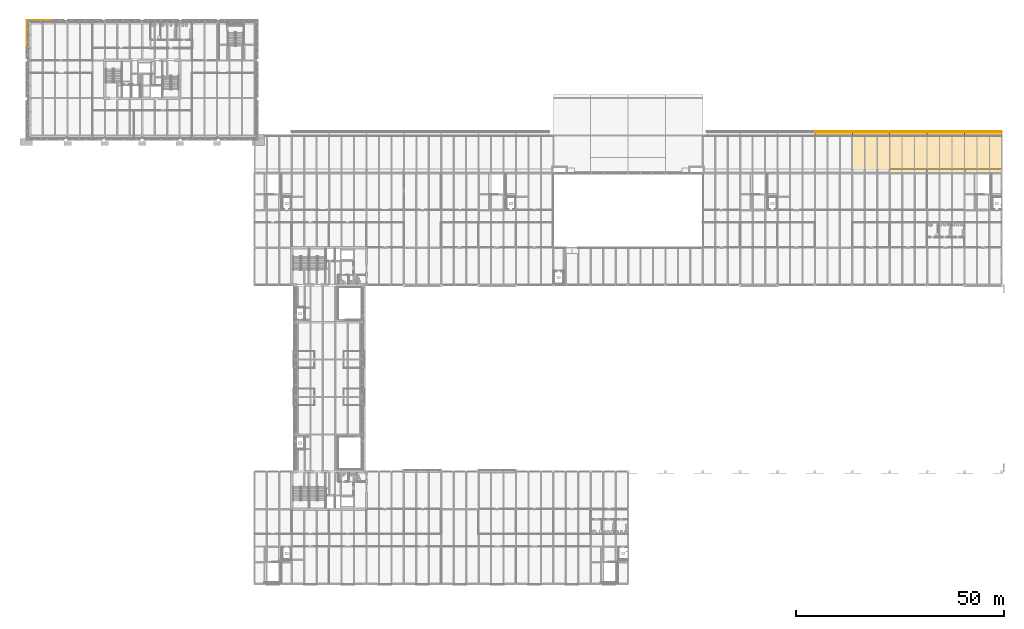
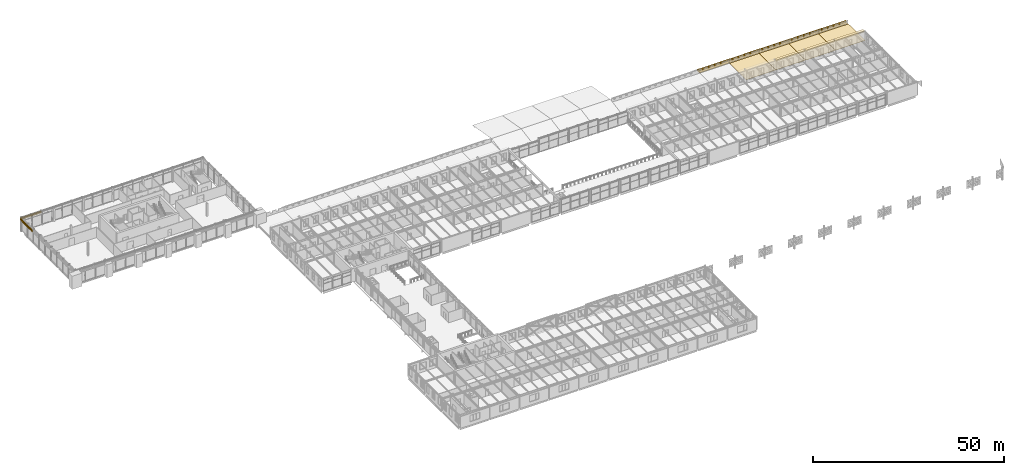
# One storey, part 111 of 123: 12 coverings, 9 shading devices.
"""IFC4 building model written with IfcOpenShell, lengths in metres."""

from ifc_helpers import new_model, si_unit, direction, frame, origin, origin_2d, place, context, subcontext, project, spatial, polyline, rectangle, outline, extrude, material, layer, layer_set, type_object, element, save


model = new_model("IFC4")

# Units and contexts
model_context = context("Model", 3, precision=1e-05, world=origin(), true_north=direction((0.0, 1.0)))
body_context = subcontext(model_context, "Body", "Model", "MODEL_VIEW")
ifc_project = project(units=[si_unit("LENGTHUNIT", "METRE"), si_unit("AREAUNIT", "SQUARE_METRE"), si_unit("VOLUMEUNIT", "CUBIC_METRE"), si_unit("PLANEANGLEUNIT", "RADIAN"), si_unit("MASSUNIT", "GRAM", prefix="KILO")], contexts=[model_context])

# Site, building, storey
site_placement = place(None, origin())
site = spatial("IfcSite", under=ifc_project, at=site_placement, CompositionType="ELEMENT")
building_placement = place(site_placement, origin())
building = spatial("IfcBuilding", under=site, at=building_placement, Name="Baradari Gate Terminus", CompositionType="ELEMENT")
storey_placement = place(building_placement, frame((0.0, 0.0, 7.5)))
storey = spatial("IfcBuildingStorey", under=building, at=storey_placement, Name="L01", CompositionType="ELEMENT", Elevation=7.5)

# Coverings
ifc_material_1 = material(Name="Reconstituted stone cladding", Category="masonry")
ifc_layer_1 = layer(ifc_material_1, 0.199951171875)
ifc_layer_set_1 = layer_set([ifc_layer_1], Name="Reconstituted stone cladding")
covering_type_1 = type_object("IfcCoveringType", Name="Canopy chhajja fascia CF-1 450", PredefinedType="CLADDING", material=ifc_layer_set_1)
for number, where, z_axis, x_axis, name in (
    (1, (202.5, 117.89990234375, 0.89990234375), (0.0, 0.0, 1.0), (1.0, 0.0, 0.0), "Canopy chhajja fascia CF-1 C16"),
    (2, (211.5, 117.89990234375, 0.89990234375), (0.0, 0.0, 1.0), (1.0, 0.0, 0.0), "Canopy chhajja fascia CF-1 C17"),
    (3, (220.5, 117.89990234375, 0.89990234375), (0.0, 0.0, 1.0), (1.0, 0.0, 0.0), "Canopy chhajja fascia CF-1 C18"),
    (4, (229.5, 117.89990234375, 0.89990234375), (0.0, 0.0, 1.0), (1.0, 0.0, 0.0), "Canopy chhajja fascia CF-1 C19"),
    (5, (238.5, 117.89990234375, 0.89990234375), (0.0, 0.0, 1.0), (1.0, 0.0, 0.0), "Canopy chhajja fascia CF-1 C20"),
):
    element("IfcCovering", number, at=place(storey_placement, frame(where, z_axis=z_axis, x_axis=x_axis)), inside=storey, type_object=covering_type_1, Name=name, PredefinedType="CLADDING", context=body_context, shape_type="SweptSolid", body=[
        extrude(rectangle(XDim=9.0, YDim=0.199951171875, at=origin_2d()), origin(), (0.0, 0.0, 1.0), 0.449951171875),
    ])

# Shading devices
ifc_material_2 = material(Name="Concrete C40/50 precast", Category="concrete")
ifc_layer_2 = layer(ifc_material_2, 0.14990234375)
ifc_layer_set_2 = layer_set([ifc_layer_2], Name="Concrete C40/50 precast")
shading_device_type_1 = type_object("IfcShadingDeviceType", Name="Chhajja eave CJ-2 1000x150", PredefinedType="AWNING", material=ifc_layer_set_2)
for number, where, z_axis, x_axis, name in (
    (6, (202.5, 117.5, 0.75), (0.0, 0.0, 1.0), (1.0, 0.0, 0.0), "Chhajja eave CJ-1 C bay 16"),
    (7, (211.5, 117.5, 0.75), (0.0, 0.0, 1.0), (1.0, 0.0, 0.0), "Chhajja eave CJ-1 C bay 17"),
    (8, (220.5, 117.5, 0.75), (0.0, 0.0, 1.0), (1.0, 0.0, 0.0), "Chhajja eave CJ-1 C bay 18"),
    (9, (229.5, 117.5, 0.75), (0.0, 0.0, 1.0), (1.0, 0.0, 0.0), "Chhajja eave CJ-1 C bay 19"),
    (10, (238.5, 117.5, 0.75), (0.0, 0.0, 1.0), (1.0, 0.0, 0.0), "Chhajja eave CJ-1 C bay 20"),
):
    element("IfcShadingDevice", number, at=place(storey_placement, frame(where, z_axis=z_axis, x_axis=x_axis)), inside=storey, type_object=shading_device_type_1, Name=name, PredefinedType="AWNING", context=body_context, shape_type="SweptSolid", body=[
        extrude(rectangle(XDim=9.0, YDim=1.0, at=origin_2d()), origin(), (0.0, 0.0, 1.0), 0.14990234375),
    ])
ifc_material_3 = material(Name="Concrete C50/60 precast", Category="concrete")
ifc_layer_3 = layer(ifc_material_3, 0.10009765625)
ifc_layer_set_3 = layer_set([ifc_layer_3], Name="Concrete C50/60 precast")
shading_device_type_2 = type_object("IfcShadingDeviceType", Name="Jali screen panel JS-1 100", PredefinedType="SHUTTER", material=ifc_layer_set_3)
shading_device_1_placement = place(storey_placement, frame((8.239990234375, 144.7451171875, 3.4326171875), z_axis=(0.0, 0.0, 1.0), x_axis=(1.0, 0.0, 0.0)))
element("IfcShadingDevice", 11, at=shading_device_1_placement, inside=storey, type_object=shading_device_type_2, Name="Jali screen panel JS-1 L01/TN bay 1", PredefinedType="SHUTTER", context=body_context, shape_type="SweptSolid", body=[
    extrude(outline(polyline([(0.0, 0.0), (3.300048828125, 0.0), (3.300048828125, 0.599853515625), (0.0, 0.599853515625), (0.0, 0.0)]), holes=[polyline([(0.336181640625, 0.2998046875), (0.271240234375, 0.187255859375), (0.141357421875, 0.187255859375), (0.076171875, 0.2998046875), (0.141357421875, 0.412353515625), (0.271240234375, 0.412353515625), (0.336181640625, 0.2998046875)]), polyline([(0.748779296875, 0.2998046875), (0.683837890625, 0.187255859375), (0.5537109375, 0.187255859375), (0.48876953125, 0.2998046875), (0.5537109375, 0.412353515625), (0.683837890625, 0.412353515625), (0.748779296875, 0.2998046875)]), polyline([(1.1611328125, 0.2998046875), (1.09619140625, 0.187255859375), (0.96630859375, 0.187255859375), (0.9013671875, 0.2998046875), (0.96630859375, 0.412353515625), (1.09619140625, 0.412353515625), (1.1611328125, 0.2998046875)]), polyline([(1.57373046875, 0.2998046875), (1.5087890625, 0.187255859375), (1.378662109375, 0.187255859375), (1.313720703125, 0.2998046875), (1.378662109375, 0.412353515625), (1.5087890625, 0.412353515625), (1.57373046875, 0.2998046875)]), polyline([(1.986328125, 0.2998046875), (1.921142578125, 0.187255859375), (1.791259765625, 0.187255859375), (1.726318359375, 0.2998046875), (1.791259765625, 0.412353515625), (1.921142578125, 0.412353515625), (1.986328125, 0.2998046875)]), polyline([(2.398681640625, 0.2998046875), (2.333740234375, 0.187255859375), (2.203857421875, 0.187255859375), (2.138671875, 0.2998046875), (2.203857421875, 0.412353515625), (2.333740234375, 0.412353515625), (2.398681640625, 0.2998046875)]), polyline([(2.811279296875, 0.2998046875), (2.746337890625, 0.187255859375), (2.6162109375, 0.187255859375), (2.55126953125, 0.2998046875), (2.6162109375, 0.412353515625), (2.746337890625, 0.412353515625), (2.811279296875, 0.2998046875)]), polyline([(3.2236328125, 0.2998046875), (3.15869140625, 0.187255859375), (3.02880859375, 0.187255859375), (2.9638671875, 0.2998046875), (3.02880859375, 0.412353515625), (3.15869140625, 0.412353515625), (3.2236328125, 0.2998046875)])]), frame((0.0, 0.050048828125, 0.0), z_axis=(0.0, -1.0, 0.0), x_axis=(1.0, 0.0, 0.0)), (0.0, 0.0, 1.0), 0.10009765625),
])
shading_device_2_placement = place(storey_placement, frame((11.580078125, 144.7451171875, 3.4326171875), z_axis=(0.0, 0.0, 1.0), x_axis=(1.0, 0.0, 0.0)))
element("IfcShadingDevice", 12, at=shading_device_2_placement, inside=storey, type_object=shading_device_type_2, Name="Jali screen panel JS-1 L01/TN bay 2", PredefinedType="SHUTTER", context=body_context, shape_type="SweptSolid", body=[
    extrude(outline(polyline([(0.0, 0.0), (3.014892578125, 0.0), (3.014892578125, 0.599853515625), (0.0, 0.599853515625), (0.0, 0.0)]), holes=[polyline([(0.345458984375, 0.2998046875), (0.2802734375, 0.187255859375), (0.150390625, 0.187255859375), (0.08544921875, 0.2998046875), (0.150390625, 0.412353515625), (0.2802734375, 0.412353515625), (0.345458984375, 0.2998046875)]), polyline([(0.776123046875, 0.2998046875), (0.711181640625, 0.187255859375), (0.5810546875, 0.187255859375), (0.51611328125, 0.2998046875), (0.5810546875, 0.412353515625), (0.711181640625, 0.412353515625), (0.776123046875, 0.2998046875)]), polyline([(1.206787109375, 0.2998046875), (1.141845703125, 0.187255859375), (1.01171875, 0.187255859375), (0.94677734375, 0.2998046875), (1.01171875, 0.412353515625), (1.141845703125, 0.412353515625), (1.206787109375, 0.2998046875)]), polyline([(1.637451171875, 0.2998046875), (1.572509765625, 0.187255859375), (1.4423828125, 0.187255859375), (1.37744140625, 0.2998046875), (1.4423828125, 0.412353515625), (1.572509765625, 0.412353515625), (1.637451171875, 0.2998046875)]), polyline([(2.068115234375, 0.2998046875), (2.003173828125, 0.187255859375), (1.873291015625, 0.187255859375), (1.80810546875, 0.2998046875), (1.873291015625, 0.412353515625), (2.003173828125, 0.412353515625), (2.068115234375, 0.2998046875)]), polyline([(2.4990234375, 0.2998046875), (2.433837890625, 0.187255859375), (2.303955078125, 0.187255859375), (2.239013671875, 0.2998046875), (2.303955078125, 0.412353515625), (2.433837890625, 0.412353515625), (2.4990234375, 0.2998046875)]), polyline([(2.9296875, 0.2998046875), (2.86474609375, 0.187255859375), (2.734619140625, 0.187255859375), (2.669677734375, 0.2998046875), (2.734619140625, 0.412353515625), (2.86474609375, 0.412353515625), (2.9296875, 0.2998046875)])]), frame((0.0, 0.050048828125, 0.0), z_axis=(0.0, -1.0, 0.0), x_axis=(1.0, 0.0, 0.0)), (0.0, 0.0, 1.0), 0.10009765625),
])
shading_device_3_placement = place(storey_placement, frame((8.2548828125, 138.114501953125, 3.4326171875), z_axis=(0.0, 0.0, 1.0), x_axis=(0.0, 1.0, 0.0)))
element("IfcShadingDevice", 13, at=shading_device_3_placement, inside=storey, type_object=shading_device_type_2, Name="Jali screen panel JS-1 L01/TW bay 8", PredefinedType="SHUTTER", context=body_context, shape_type="SweptSolid", body=[
    extrude(outline(polyline([(0.0, 0.0), (3.047607421875, 0.0), (3.047607421875, 0.599853515625), (0.0, 0.599853515625), (0.0, 0.0)]), holes=[polyline([(0.34765625, 0.2998046875), (0.28271484375, 0.187255859375), (0.152587890625, 0.187255859375), (0.087646484375, 0.2998046875), (0.152587890625, 0.412353515625), (0.28271484375, 0.412353515625), (0.34765625, 0.2998046875)]), polyline([(0.783203125, 0.2998046875), (0.718017578125, 0.187255859375), (0.588134765625, 0.187255859375), (0.523193359375, 0.2998046875), (0.588134765625, 0.412353515625), (0.718017578125, 0.412353515625), (0.783203125, 0.2998046875)]), polyline([(1.218505859375, 0.2998046875), (1.153564453125, 0.187255859375), (1.0234375, 0.187255859375), (0.95849609375, 0.2998046875), (1.0234375, 0.412353515625), (1.153564453125, 0.412353515625), (1.218505859375, 0.2998046875)]), polyline([(1.65380859375, 0.2998046875), (1.5888671875, 0.187255859375), (1.458984375, 0.187255859375), (1.393798828125, 0.2998046875), (1.458984375, 0.412353515625), (1.5888671875, 0.412353515625), (1.65380859375, 0.2998046875)]), polyline([(2.08935546875, 0.2998046875), (2.024169921875, 0.187255859375), (1.894287109375, 0.187255859375), (1.829345703125, 0.2998046875), (1.894287109375, 0.412353515625), (2.024169921875, 0.412353515625), (2.08935546875, 0.2998046875)]), polyline([(2.524658203125, 0.2998046875), (2.459716796875, 0.187255859375), (2.32958984375, 0.187255859375), (2.2646484375, 0.2998046875), (2.32958984375, 0.412353515625), (2.459716796875, 0.412353515625), (2.524658203125, 0.2998046875)]), polyline([(2.9599609375, 0.2998046875), (2.89501953125, 0.187255859375), (2.76513671875, 0.187255859375), (2.7001953125, 0.2998046875), (2.76513671875, 0.412353515625), (2.89501953125, 0.412353515625), (2.9599609375, 0.2998046875)])]), frame((0.0, 0.050048828125, 0.0), z_axis=(0.0, -1.0, 0.0), x_axis=(1.0, 0.0, 0.0)), (0.0, 0.0, 1.0), 0.10009765625),
])
shading_device_4_placement = place(storey_placement, frame((8.2548828125, 141.2021484375, 3.4326171875), z_axis=(0.0, 0.0, 1.0), x_axis=(0.0, 1.0, 0.0)))
element("IfcShadingDevice", 14, at=shading_device_4_placement, inside=storey, type_object=shading_device_type_2, Name="Jali screen panel JS-1 L01/TW bay 9", PredefinedType="SHUTTER", context=body_context, shape_type="SweptSolid", body=[
    extrude(outline(polyline([(0.0, 0.0), (3.457763671875, 0.0), (3.457763671875, 0.599853515625), (0.0, 0.599853515625), (0.0, 0.0)]), holes=[polyline([(0.34619140625, 0.2998046875), (0.281005859375, 0.187255859375), (0.151123046875, 0.187255859375), (0.086181640625, 0.2998046875), (0.151123046875, 0.412353515625), (0.281005859375, 0.412353515625), (0.34619140625, 0.2998046875)]), polyline([(0.7783203125, 0.2998046875), (0.71337890625, 0.187255859375), (0.583251953125, 0.187255859375), (0.518310546875, 0.2998046875), (0.583251953125, 0.412353515625), (0.71337890625, 0.412353515625), (0.7783203125, 0.2998046875)]), polyline([(1.21044921875, 0.2998046875), (1.1455078125, 0.187255859375), (1.015625, 0.187255859375), (0.950439453125, 0.2998046875), (1.015625, 0.412353515625), (1.1455078125, 0.412353515625), (1.21044921875, 0.2998046875)]), polyline([(1.642822265625, 0.2998046875), (1.577880859375, 0.187255859375), (1.44775390625, 0.187255859375), (1.3828125, 0.2998046875), (1.44775390625, 0.412353515625), (1.577880859375, 0.412353515625), (1.642822265625, 0.2998046875)]), polyline([(2.074951171875, 0.2998046875), (2.010009765625, 0.187255859375), (1.8798828125, 0.187255859375), (1.81494140625, 0.2998046875), (1.8798828125, 0.412353515625), (2.010009765625, 0.412353515625), (2.074951171875, 0.2998046875)]), polyline([(2.50732421875, 0.2998046875), (2.442138671875, 0.187255859375), (2.312255859375, 0.187255859375), (2.247314453125, 0.2998046875), (2.312255859375, 0.412353515625), (2.442138671875, 0.412353515625), (2.50732421875, 0.2998046875)]), polyline([(2.939453125, 0.2998046875), (2.87451171875, 0.187255859375), (2.744384765625, 0.187255859375), (2.679443359375, 0.2998046875), (2.744384765625, 0.412353515625), (2.87451171875, 0.412353515625), (2.939453125, 0.2998046875)]), polyline([(3.37158203125, 0.2998046875), (3.306640625, 0.187255859375), (3.1767578125, 0.187255859375), (3.111572265625, 0.2998046875), (3.1767578125, 0.412353515625), (3.306640625, 0.412353515625), (3.37158203125, 0.2998046875)])]), frame((0.0, 0.050048828125, 0.0), z_axis=(0.0, -1.0, 0.0), x_axis=(1.0, 0.0, 0.0)), (0.0, 0.0, 1.0), 0.10009765625),
])

# Coverings
ifc_material_4 = material(Name="Concrete C40/50", Category="concrete")
covering_type_2 = type_object("IfcCoveringType", Name="Precast cornice band", PredefinedType="CLADDING", material=ifc_material_4)
for number, where, z_axis, x_axis, name in (
    (15, (220.5, 108.45361328125, 3.650146484375), (0.0, 0.0, 1.0), (1.0, 0.0, 0.0), "RF/L01/CO-24"),
    (16, (229.5, 108.45361328125, 3.650146484375), (0.0, 0.0, 1.0), (1.0, 0.0, 0.0), "RF/L01/CO-25"),
    (17, (238.5, 108.45361328125, 3.650146484375), (0.0, 0.0, 1.0), (1.0, 0.0, 0.0), "RF/L01/CO-26"),
):
    element("IfcCovering", number, at=place(storey_placement, frame(where, z_axis=z_axis, x_axis=x_axis)), inside=storey, type_object=covering_type_2, Name=name, PredefinedType="CLADDING", context=body_context, shape_type="SweptSolid", body=[
        extrude(rectangle(XDim=8.74365234375, YDim=0.89990234375, at=origin_2d()), origin(), (0.0, 0.0, 1.0), 0.39990234375),
    ])
ifc_material_5 = material(Name="Terracotta roof tiles", Category="masonry")
ifc_layer_4 = layer(ifc_material_5, 0.06005859375)
ifc_layer_set_4 = layer_set([ifc_layer_4], Name="Terracotta roof tiles")
covering_type_3 = type_object("IfcCoveringType", Name="Terracotta roof tiles RT-1 60", PredefinedType="ROOFING", material=ifc_layer_set_4)
covering_1_placement = place(storey_placement, frame((0.0, 0.0, 0.89990234375)))
element("IfcCovering", 18, at=covering_1_placement, inside=storey, type_object=covering_type_3, Name="Terracotta roof tiles RT-1 C17", PredefinedType="ROOFING", context=body_context, shape_type="SweptSolid", body=[
    extrude(outline(polyline([(207.0, 117.0), (216.0, 117.0), (216.0, 108.130126953125), (215.871826171875, 108.130126953125), (215.871826171875, 108.00341796875), (207.128173828125, 108.00341796875), (207.128173828125, 108.130126953125), (207.0, 108.130126953125), (207.0, 117.0)]), holes=[polyline([(215.949951171875, 116.949951171875), (207.050048828125, 116.949951171875), (207.050048828125, 116.75), (215.949951171875, 116.75), (215.949951171875, 116.949951171875)])]), origin(), (0.0, 0.0, 1.0), 0.06005859375),
])
covering_2_placement = place(storey_placement, frame((0.0, 0.0, 0.89990234375)))
element("IfcCovering", 19, at=covering_2_placement, inside=storey, type_object=covering_type_3, Name="Terracotta roof tiles RT-1 C18", PredefinedType="ROOFING", context=body_context, shape_type="SweptSolid", body=[
    extrude(outline(polyline([(216.0, 117.0), (225.0, 117.0), (225.0, 108.130126953125), (224.871826171875, 108.130126953125), (224.871826171875, 108.00341796875), (216.128173828125, 108.00341796875), (216.128173828125, 108.130126953125), (216.0, 108.130126953125), (216.0, 117.0)]), holes=[polyline([(224.949951171875, 116.75), (224.949951171875, 116.949951171875), (216.050048828125, 116.949951171875), (216.050048828125, 116.75), (224.949951171875, 116.75)])]), origin(), (0.0, 0.0, 1.0), 0.06005859375),
])
covering_3_placement = place(storey_placement, frame((0.0, 0.0, 0.89990234375)))
element("IfcCovering", 20, at=covering_3_placement, inside=storey, type_object=covering_type_3, Name="Terracotta roof tiles RT-1 C19", PredefinedType="ROOFING", context=body_context, shape_type="SweptSolid", body=[
    extrude(outline(polyline([(225.0, 117.0), (234.0, 117.0), (234.0, 108.130126953125), (233.871826171875, 108.130126953125), (233.871826171875, 108.00341796875), (225.128173828125, 108.00341796875), (225.128173828125, 108.130126953125), (225.0, 108.130126953125), (225.0, 117.0)]), holes=[polyline([(233.949951171875, 116.75), (233.949951171875, 116.949951171875), (225.050048828125, 116.949951171875), (225.050048828125, 116.75), (233.949951171875, 116.75)])]), origin(), (0.0, 0.0, 1.0), 0.06005859375),
])
covering_4_placement = place(storey_placement, frame((0.0, 0.0, 0.89990234375)))
element("IfcCovering", 21, at=covering_4_placement, inside=storey, type_object=covering_type_3, Name="Terracotta roof tiles RT-1 C20", PredefinedType="ROOFING", context=body_context, shape_type="SweptSolid", body=[
    extrude(outline(polyline([(234.0, 117.0), (243.0, 117.0), (243.0, 108.130126953125), (242.871826171875, 108.130126953125), (242.871826171875, 108.00341796875), (234.128173828125, 108.00341796875), (234.128173828125, 108.130126953125), (234.0, 108.130126953125), (234.0, 117.0)]), holes=[polyline([(242.949951171875, 116.949951171875), (234.050048828125, 116.949951171875), (234.050048828125, 116.75), (242.949951171875, 116.75), (242.949951171875, 116.949951171875)])]), origin(), (0.0, 0.0, 1.0), 0.06005859375),
])

save(model, "model.ifc")
